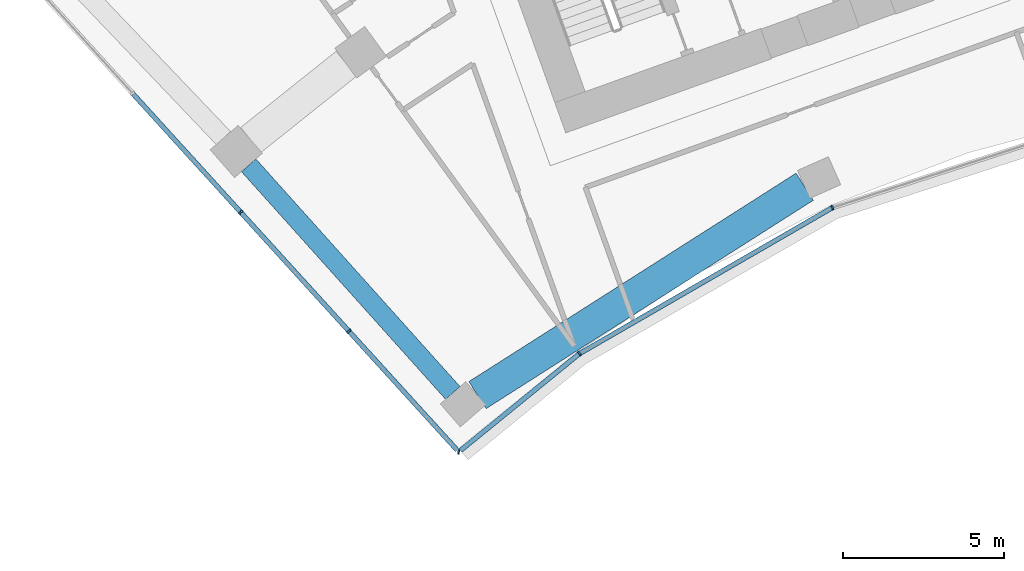
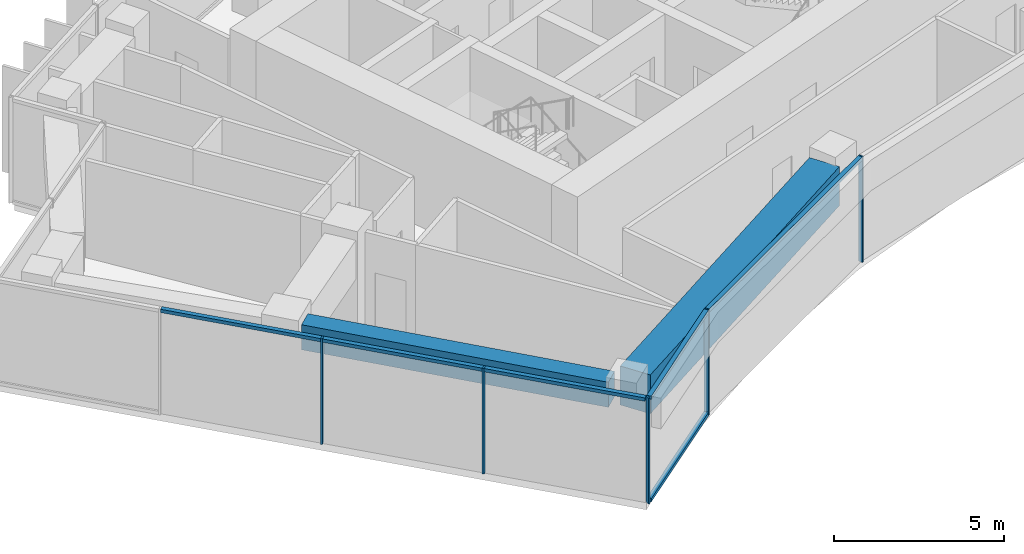
# One storey, part 2 of 19: 11 members, 2 beams, 2 elements without a shape of their own.
"""IFC4 building model written with IfcOpenShell, lengths in metres."""

from ifc_helpers import new_model, si_unit, direction, frame, origin, origin_2d, place, context, subcontext, project, spatial, rectangle, extrude, material, layer, layer_set, material_profile, profile_set, type_object, element, aggregate, save


model = new_model("IFC4")

# Units and contexts
model_context = context("Model", 3, precision=1e-05, world=origin(), true_north=direction((0.0, 1.0)))
body_context = subcontext(model_context, "Body", "Model", "MODEL_VIEW")
ifc_project = project(units=[si_unit("LENGTHUNIT", "METRE"), si_unit("AREAUNIT", "SQUARE_METRE"), si_unit("VOLUMEUNIT", "CUBIC_METRE"), si_unit("PLANEANGLEUNIT", "RADIAN"), si_unit("MASSUNIT", "GRAM", prefix="KILO")], contexts=[model_context])

# Site, building, storey
site_placement = place(None, origin())
site = spatial("IfcSite", under=ifc_project, at=site_placement, CompositionType="ELEMENT")
building_placement = place(site_placement, origin())
building = spatial("IfcBuilding", under=site, at=building_placement, Name="Stone Belt Terrace Tower", CompositionType="ELEMENT")
storey_placement = place(building_placement, frame((0.0, 0.0, 235.199951171875)))
storey = spatial("IfcBuildingStorey", under=building, at=storey_placement, Name="L57", CompositionType="ELEMENT", Elevation=235.199951171875)

# Curtain wall, members
ifc_material_1 = material(Name="Aluminium 6063-T6 anodised frame", Category="aluminium")
ifc_layer_1 = layer(ifc_material_1, 0.14990234375)
ifc_layer_set_1 = layer_set([ifc_layer_1], Name="CW-B unitised concave-face curtain wall")
curtain_wall_type_1 = type_object("IfcCurtainWallType", Name="CW-B unitised concave-face curtain wall", PredefinedType="NOTDEFINED", material=ifc_layer_set_1)
curtain_wall_1_placement = place(storey_placement, origin())
curtain_wall_1 = element("IfcCurtainWall", 1, at=curtain_wall_1_placement, inside=storey, type_object=curtain_wall_type_1, Name="CW-B concave face L57", PredefinedType="NOTDEFINED")
ifc_material_profile_1 = material_profile(ifc_material_1, rectangle(XDim=0.14990234375, YDim=0.050048828125, at=origin_2d()), Name="Aluminium 6063-T6 50x150")
ifc_profile_set_1 = profile_set([ifc_material_profile_1], Name="Aluminium 6063-T6 anodised frame")
member_type_1 = type_object("IfcMemberType", Name="CW-B mullion 50 x 150", PredefinedType="MULLION", material=ifc_profile_set_1)
member_1_placement = place(storey_placement, frame((-29.28076171875, 32.07373046875, 0.0), z_axis=(0.0, 0.0, 1.0), x_axis=(0.074612764067, 0.997212582872, 0.0)))
member_1 = element("IfcMember", 2, at=member_1_placement, type_object=member_type_1, Name="CW-B mullion 1", PredefinedType="MULLION", context=body_context, shape_type="SweptSolid", body=[
    extrude(rectangle(XDim=0.14990234375, YDim=0.050048828125, at=origin_2d()), origin(), (0.0, 0.0, 1.0), 3.800048828125),
])
member_2_placement = place(storey_placement, frame((-25.52587890625, 35.13037109375, 0.0), z_axis=(0.0, 0.0, 1.0), x_axis=(-0.567465498288, 0.823397175276, 0.0)))
member_2 = element("IfcMember", 3, at=member_2_placement, type_object=member_type_1, Name="CW-B mullion 2", PredefinedType="MULLION", context=body_context, shape_type="SweptSolid", body=[
    extrude(rectangle(XDim=0.14990234375, YDim=0.050048828125, at=origin_2d()), origin(), (0.0, 0.0, 1.0), 3.800048828125),
])
member_3_placement = place(storey_placement, frame((-17.662353515625, 39.67041015625, 0.0), z_axis=(0.0, 0.0, 1.0), x_axis=(-0.406736643076, 0.913545457643, 0.0)))
member_3 = element("IfcMember", 4, at=member_3_placement, type_object=member_type_1, Name="CW-B mullion 3", PredefinedType="MULLION", context=body_context, shape_type="SweptSolid", body=[
    extrude(rectangle(XDim=0.14990234375, YDim=0.050048828125, at=origin_2d()), origin(), (0.0, 0.0, 1.0), 3.800048828125),
])
ifc_material_profile_2 = material_profile(ifc_material_1, rectangle(XDim=0.14990234375, YDim=0.1201171875, at=origin_2d()), Name="Aluminium 6063-T6 150x120")
ifc_profile_set_2 = profile_set([ifc_material_profile_2], Name="Aluminium 6063-T6 anodised frame")
member_type_2 = type_object("IfcMemberType", Name="CW-B transom 120 x 150", PredefinedType="USERDEFINED", material=ifc_profile_set_2)
member_4_placement = place(storey_placement, frame((-29.226806640625, 32.11767578125, 0.06005859375), z_axis=(0.775515096537, 0.631329022811, 0.0), x_axis=(-0.631329022811, 0.775515096537, 0.0)))
member_4 = element("IfcMember", 5, at=member_4_placement, type_object=member_type_2, Name="CW-B transom 1.1", ObjectType="TRANSOM", PredefinedType="USERDEFINED", context=body_context, shape_type="SweptSolid", body=[
    extrude(rectangle(XDim=0.14990234375, YDim=0.1201171875, at=origin_2d()), origin(), (0.0, 0.0, 1.0), 4.740966796875),
])
member_5_placement = place(storey_placement, frame((-29.226806640625, 32.11767578125, 3.739990234375), z_axis=(0.775515096537, 0.631329022811, 0.0), x_axis=(-0.631329022811, 0.775515096537, 0.0)))
member_5 = element("IfcMember", 6, at=member_5_placement, type_object=member_type_2, Name="CW-B transom 1.2", ObjectType="TRANSOM", PredefinedType="USERDEFINED", context=body_context, shape_type="SweptSolid", body=[
    extrude(rectangle(XDim=0.14990234375, YDim=0.1201171875, at=origin_2d()), origin(), (0.0, 0.0, 1.0), 4.740966796875),
])
member_6_placement = place(storey_placement, frame((-25.499267578125, 35.145751953125, 3.739990234375), z_axis=(0.866025063885, 0.500000588723, 0.0), x_axis=(-0.500000588723, 0.866025063885, 0.0)))
member_6 = element("IfcMember", 7, at=member_6_placement, type_object=member_type_2, Name="CW-B transom 2.1", ObjectType="TRANSOM", PredefinedType="USERDEFINED", context=body_context, shape_type="SweptSolid", body=[
    extrude(rectangle(XDim=0.14990234375, YDim=0.1201171875, at=origin_2d()), origin(), (0.0, 0.0, 1.0), 9.0166015625),
])
aggregate(curtain_wall_1, [member_1, member_2, member_3, member_4, member_5, member_6])

ifc_layer_2 = layer(ifc_material_1, 0.14990234375)
ifc_layer_set_2 = layer_set([ifc_layer_2], Name="CW-C stick curtain wall, horn ends and notches")
curtain_wall_type_2 = type_object("IfcCurtainWallType", Name="CW-C stick curtain wall, horn ends and notches", PredefinedType="NOTDEFINED", material=ifc_layer_set_2)
curtain_wall_2_placement = place(storey_placement, origin())
curtain_wall_2 = element("IfcCurtainWall", 8, at=curtain_wall_2_placement, inside=storey, type_object=curtain_wall_type_2, Name="CW-C end face L57", PredefinedType="NOTDEFINED")
ifc_material_profile_3 = material_profile(ifc_material_1, rectangle(XDim=0.14990234375, YDim=0.06005859375, at=origin_2d()), Name="Aluminium 6063-T6 60x150")
ifc_profile_set_3 = profile_set([ifc_material_profile_3], Name="Aluminium 6063-T6 anodised frame")
member_type_3 = type_object("IfcMemberType", Name="CW-C mullion 60 x 150", PredefinedType="MULLION", material=ifc_profile_set_3)
member_7_placement = place(storey_placement, frame((-36.05810546875, 39.523193359375, 0.0), z_axis=(0.0, 0.0, 1.0), x_axis=(0.739693315468, 0.672944127735, 0.0)))
member_7 = element("IfcMember", 9, at=member_7_placement, type_object=member_type_3, Name="CW-C mullion 3", PredefinedType="MULLION", context=body_context, shape_type="SweptSolid", body=[
    extrude(rectangle(XDim=0.14990234375, YDim=0.06005859375, at=origin_2d()), origin(), (0.0, 0.0, 1.0), 3.800048828125),
])
member_8_placement = place(storey_placement, frame((-32.693359375, 35.82470703125, 0.0), z_axis=(0.0, 0.0, 1.0), x_axis=(0.739693315468, 0.672944127735, 0.0)))
member_8 = element("IfcMember", 10, at=member_8_placement, type_object=member_type_3, Name="CW-C mullion 4", PredefinedType="MULLION", context=body_context, shape_type="SweptSolid", body=[
    extrude(rectangle(XDim=0.14990234375, YDim=0.06005859375, at=origin_2d()), origin(), (0.0, 0.0, 1.0), 3.800048828125),
])
ifc_material_profile_4 = material_profile(ifc_material_1, rectangle(XDim=0.14990234375, YDim=0.1201171875, at=origin_2d()), Name="Aluminium 6063-T6 150x120")
ifc_profile_set_4 = profile_set([ifc_material_profile_4], Name="Aluminium 6063-T6 anodised frame")
member_type_4 = type_object("IfcMemberType", Name="CW-C transom 120 x 150", PredefinedType="USERDEFINED", material=ifc_profile_set_4)
member_9_placement = place(storey_placement, frame((-39.402587890625, 43.199462890625, 3.739990234375), z_axis=(0.672960545532, -0.739678378863, 0.0), x_axis=(0.739678378863, 0.672960545532, 0.0)))
member_9 = element("IfcMember", 11, at=member_9_placement, type_object=member_type_4, Name="CW-C transom 2.1", ObjectType="TRANSOM", PredefinedType="USERDEFINED", context=body_context, shape_type="SweptSolid", body=[
    extrude(rectangle(XDim=0.14990234375, YDim=0.1201171875, at=origin_2d()), origin(), (0.0, 0.0, 1.0), 4.93994140625),
])
member_10_placement = place(storey_placement, frame((-36.037841796875, 39.5009765625, 3.739990234375), z_axis=(0.672960545532, -0.739678378863, 0.0), x_axis=(0.739678378863, 0.672960545532, 0.0)))
member_10 = element("IfcMember", 12, at=member_10_placement, type_object=member_type_4, Name="CW-C transom 3.1", ObjectType="TRANSOM", PredefinedType="USERDEFINED", context=body_context, shape_type="SweptSolid", body=[
    extrude(rectangle(XDim=0.14990234375, YDim=0.1201171875, at=origin_2d()), origin(), (0.0, 0.0, 1.0), 4.93994140625),
])
member_11_placement = place(storey_placement, frame((-32.673095703125, 35.802490234375, 3.739990234375), z_axis=(0.672949162631, -0.739688734884, 0.0), x_axis=(0.739688734884, 0.672949162631, 0.0)))
member_11 = element("IfcMember", 13, at=member_11_placement, type_object=member_type_4, Name="CW-C transom 4.1", ObjectType="TRANSOM", PredefinedType="USERDEFINED", context=body_context, shape_type="SweptSolid", body=[
    extrude(rectangle(XDim=0.14990234375, YDim=0.1201171875, at=origin_2d()), origin(), (0.0, 0.0, 1.0), 4.9677734375),
])
aggregate(curtain_wall_2, [member_7, member_8, member_9, member_10, member_11])

# Beams
ifc_material_2 = material(Name="Concrete B60", Category="concrete")
ifc_material_profile_5 = material_profile(ifc_material_2, rectangle(XDim=0.60009765625, YDim=0.89990234375, at=origin_2d()), Name="RC 600x900")
ifc_profile_set_5 = profile_set([ifc_material_profile_5], Name="Concrete B60")
beam_type_1 = type_object("IfcBeamType", Name="Edge beam RC 600x900 B60", PredefinedType="SPANDREL", material=ifc_profile_set_5)
beam_1_placement = place(storey_placement, frame((-29.4638671875, 33.906982421875, 3.030029296875), z_axis=(-0.667668238644, 0.744458946555, 0.0), x_axis=(-0.744458946555, -0.667668238644, 0.0)))
element("IfcBeam", 14, at=beam_1_placement, inside=storey, type_object=beam_type_1, Name="Edge beam L57 A P to Q", PredefinedType="SPANDREL", context=body_context, shape_type="SweptSolid", body=[
    extrude(rectangle(XDim=0.60009765625, YDim=0.89990234375, at=origin_2d()), origin(), (0.0, 0.0, 1.0), 9.506103515625),
])
ifc_material_3 = material(Name="Concrete B80", Category="concrete")
ifc_material_profile_6 = material_profile(ifc_material_3, rectangle(XDim=1.0, YDim=1.39990234375, at=origin_2d()), Name="RC 1000x1400")
ifc_profile_set_6 = profile_set([ifc_material_profile_6], Name="Concrete B80")
beam_type_2 = type_object("IfcBeamType", Name="Transfer beam RC 1000x1400 B80", PredefinedType="BEAM", material=ifc_profile_set_6)
beam_2_placement = place(storey_placement, frame((-28.698974609375, 33.83837890625, 2.780029296875), z_axis=(0.843483082219, 0.537155740927, 0.0), x_axis=(-0.537155740927, 0.843483082219, 0.0)))
element("IfcBeam", 15, at=beam_2_placement, inside=storey, type_object=beam_type_2, Name="Transfer beam L57 PPA-P18", PredefinedType="BEAM", context=body_context, shape_type="SweptSolid", body=[
    extrude(rectangle(XDim=1.0, YDim=1.39990234375, at=origin_2d()), origin(), (0.0, 0.0, 1.0), 12.061767578125),
])

save(model, "model.ifc")
